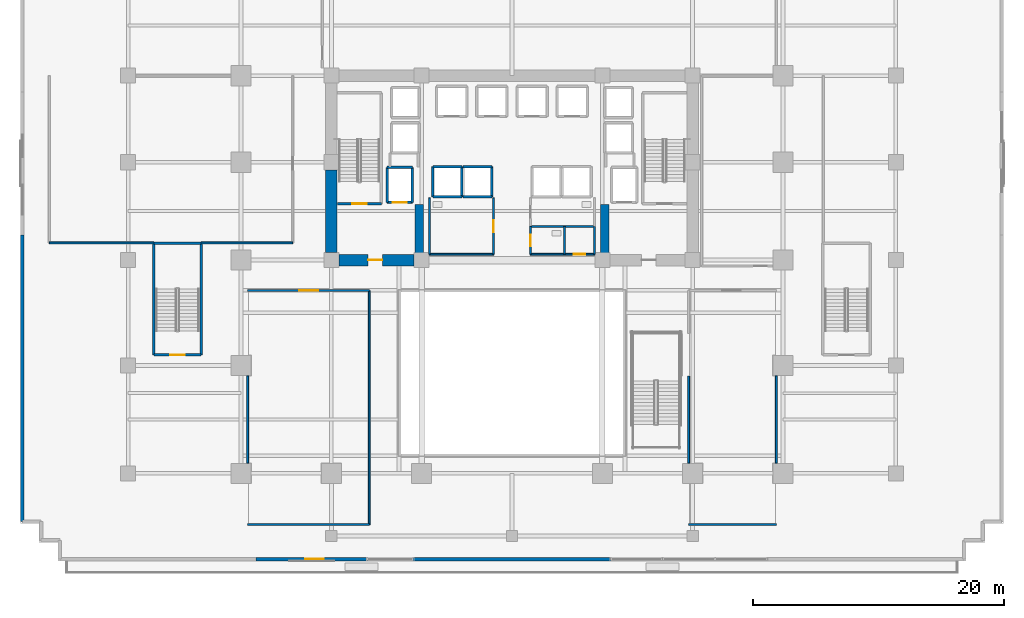
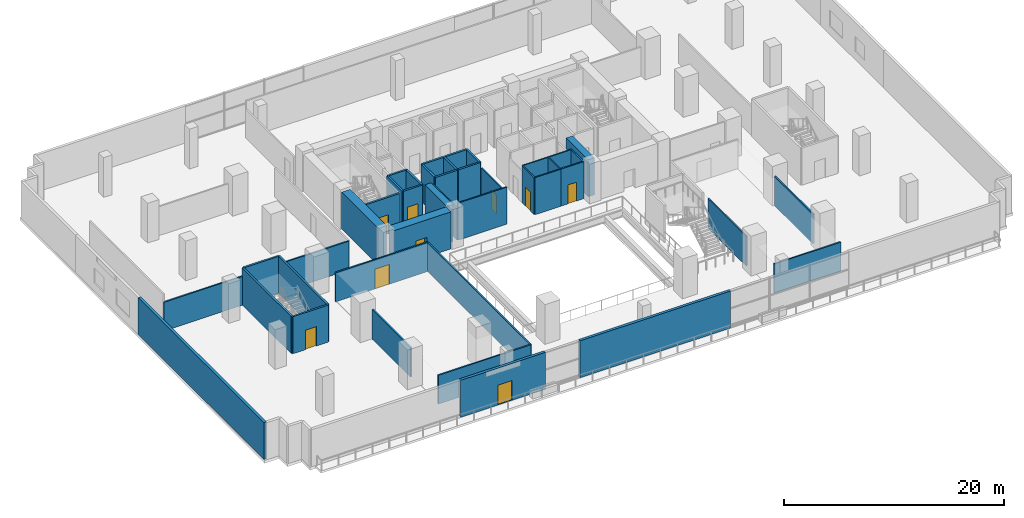
# One storey, part 12 of 21: 41 walls, 9 doors, 9 openings.
"""IFC4 building model written with IfcOpenShell, lengths in metres."""

from ifc_helpers import new_model, si_unit, direction, frame, frame_2d, origin, place, context, subcontext, project, spatial, rectangle, extrude, source, transform, mapped, material, layer, layer_set, type_object, element, fill, save


model = new_model("IFC4")

# Units and contexts
model_context = context("Model", 3, precision=1e-05, world=origin(), true_north=direction((0.0, 1.0)))
body_context = subcontext(model_context, "Body", "Model", "MODEL_VIEW")
ifc_project = project(units=[si_unit("LENGTHUNIT", "METRE"), si_unit("AREAUNIT", "SQUARE_METRE"), si_unit("VOLUMEUNIT", "CUBIC_METRE"), si_unit("PLANEANGLEUNIT", "RADIAN"), si_unit("MASSUNIT", "GRAM", prefix="KILO")], contexts=[model_context])

# Site, building, storey
site_placement = place(None, origin())
site = spatial("IfcSite", under=ifc_project, at=site_placement, CompositionType="ELEMENT")
building_placement = place(site_placement, origin())
building = spatial("IfcBuilding", under=site, at=building_placement, Name="Zarnakvel Exchange Tower", CompositionType="ELEMENT")
storey_placement = place(building_placement, frame((0.0, 0.0, 5.0)))
storey = spatial("IfcBuildingStorey", under=building, at=storey_placement, Name="L01", CompositionType="ELEMENT", Elevation=5.0)

# Wall
ifc_material_1 = material(Name="Concrete C80/95", Category="concrete")
ifc_layer_1 = layer(ifc_material_1, 0.89990234375)
ifc_layer_set_1 = layer_set([ifc_layer_1], Name="Concrete C80/95")
wall_type_1 = type_object("IfcWallType", Name="CW-C1", PredefinedType="SHEAR", material=ifc_layer_set_1)
wall_1_placement = place(storey_placement, frame((-14.39990234375, -0.60009765625, 0.0), z_axis=(0.0, 0.0, 1.0), x_axis=(0.0, 1.0, 0.0)))
element("IfcWall", 1, at=wall_1_placement, inside=storey, type_object=wall_type_1, Name="L01 Rear Core Shear Wall W1 (CW-C1)", PredefinedType="SHEAR", context=body_context, shape_type="SweptSolid", body=[
    extrude(rectangle(XDim=6.60009765625, YDim=0.89990234375, at=frame_2d((3.300048828125, 0.0))), origin(), (0.0, 0.0, 1.0), 4.10009765625),
])

# Wall, opening, door
wall_2_placement = place(storey_placement, frame((-7.800048828125, -1.199951171875, 0.0), z_axis=(0.0, 0.0, 1.0), x_axis=(-1.0, 0.0, 0.0)))
wall_2 = element("IfcWall", 2, at=wall_2_placement, inside=storey, type_object=wall_type_1, Name="L01 Rear Core Shear Wall SW (CW-C1)", PredefinedType="SHEAR", context=body_context, shape_type="SweptSolid", body=[
    extrude(rectangle(XDim=6.0, YDim=0.89990234375, at=frame_2d((3.0, 0.0))), origin(), (0.0, 0.0, 1.0), 4.10009765625),
])
opening_1_placement = place(wall_2_placement, frame((2.52490234375, 0.0, 0.0)))
opening_1 = element("IfcOpeningElement", 3, at=opening_1_placement, cuts=wall_2, Name="Opening D-L01-03", PredefinedType="OPENING", context=body_context, shape_type="SweptSolid", body=[
    extrude(rectangle(XDim=1.14990234375, YDim=2.14990234375, at=frame_2d((0.574951171875, 1.074951171875))), frame((0.0, 0.4599609375, 0.0), z_axis=(0.0, -1.0, 0.0), x_axis=(1.0, 0.0, 0.0)), (0.0, 0.0, 1.0), 0.919921875),
])
ifc_material_2 = material(Name="Painted Galvanised Steel S355", Category="steel")
door_type_1 = type_object("IfcDoorType", Name="DT-04", OperationType="NOTDEFINED", PredefinedType="DOOR", material=ifc_material_2)
shared_shape_1 = source(origin(), body_context, "Body", "SweptSolid", [
    extrude(rectangle(XDim=1.14990234375, YDim=2.14990234375, at=frame_2d((0.574951171875, 1.074951171875))), frame((0.0, 0.02490234375, 0.0), z_axis=(0.0, -1.0, 0.0), x_axis=(1.0, 0.0, 0.0)), (0.0, 0.0, 1.0), 0.050048828125),
])
door_1_placement = place(opening_1_placement, origin())
door_1 = element("IfcDoor", 4, at=door_1_placement, inside=storey, type_object=door_type_1, Name="L01 Firefighting Lobby West Door D-L01-03", OperationType="SINGLE_SWING_RIGHT", OverallHeight=2.14990234375, OverallWidth=1.14990234375, PredefinedType="DOOR", context=body_context, shape_type="MappedRepresentation", body=[
    mapped(shared_shape_1, transform((0.0, 0.0, 0.0), x_axis=(1.0, 0.0, 0.0), y_axis=(0.0, 1.0, 0.0), z_axis=(0.0, 0.0, 1.0), scale=1.0)),
])
fill(opening_1, door_1)

# Walls
ifc_layer_2 = layer(ifc_material_1, 0.64990234375)
ifc_layer_set_2 = layer_set([ifc_layer_2], Name="Concrete C80/95")
wall_type_2 = type_object("IfcWallType", Name="CW-C2", PredefinedType="SHEAR", material=ifc_layer_set_2)
for number, where, z_axis, x_axis, name in (
    (5, (-7.39990234375, -0.75, 0.0), (0.0, 0.0, 1.0), (0.0, 1.0, 0.0), "L01 Rear Core Shear Wall IW (CW-C2)"),
    (6, (7.39990234375, -0.75, 0.0), (0.0, 0.0, 1.0), (0.0, 1.0, 0.0), "L01 Rear Core Shear Wall IE (CW-C2)"),
):
    element("IfcWall", number, at=place(storey_placement, frame(where, z_axis=z_axis, x_axis=x_axis)), inside=storey, type_object=wall_type_2, Name=name, PredefinedType="SHEAR", context=body_context, shape_type="SweptSolid", body=[
        extrude(rectangle(XDim=4.0, YDim=0.64990234375, at=frame_2d((2.0, 0.0))), origin(), (0.0, 0.0, 1.0), 4.10009765625),
    ])

# Wall, opening, door
ifc_material_3 = material(Name="Precast concrete C40/50", Category="concrete")
ifc_layer_3 = layer(ifc_material_3, 0.280029296875)
ifc_layer_set_3 = layer_set([ifc_layer_3], Name="Precast concrete C40/50")
wall_type_3 = type_object("IfcWallType", Name="EW-01", PredefinedType="SOLIDWALL", material=ifc_layer_set_3)
wall_3_placement = place(storey_placement, frame((-11.5048828125, -25.0400390625, 0.0), z_axis=(0.0, 0.0, 1.0), x_axis=(-1.0, 0.0, 0.0)))
wall_3 = element("IfcWall", 7, at=wall_3_placement, inside=storey, type_object=wall_type_3, Name="L01 Exterior Precast Spandrel Wall EW-L01-PT (EW-01)", PredefinedType="SOLIDWALL", context=body_context, shape_type="SweptSolid", body=[
    extrude(rectangle(XDim=8.89501953125, YDim=0.280029296875, at=frame_2d((4.447509765625, 0.0))), origin(), (0.0, 0.0, 1.0), 4.10009765625),
])
opening_2_placement = place(wall_3_placement, frame((3.4951171875, 0.0, 0.0)))
opening_2 = element("IfcOpeningElement", 8, at=opening_2_placement, cuts=wall_3, Name="Opening TD-L01-01", PredefinedType="OPENING", context=body_context, shape_type="SweptSolid", body=[
    extrude(rectangle(XDim=1.5, YDim=2.199951171875, at=frame_2d((0.75, 1.10009765625))), frame((0.0, 0.14990234375, 0.0), z_axis=(0.0, -1.0, 0.0), x_axis=(1.0, 0.0, 0.0)), (0.0, 0.0, 1.0), 0.300048828125),
])
ifc_material_4 = material(Name="Architectural Bronze Anodised Aluminium", Category="aluminium")
door_type_2 = type_object("IfcDoorType", Name="DT-10", OperationType="NOTDEFINED", PredefinedType="DOOR", material=ifc_material_4)
shared_shape_2 = source(origin(), body_context, "Body", "SweptSolid", [
    extrude(rectangle(XDim=1.5, YDim=2.199951171875, at=frame_2d((0.75, 1.10009765625))), frame((0.0, 0.02490234375, 0.0), z_axis=(0.0, -1.0, 0.0), x_axis=(1.0, 0.0, 0.0)), (0.0, 0.0, 1.0), 0.050048828125),
])
door_2_placement = place(opening_2_placement, origin())
door_2 = element("IfcDoor", 9, at=door_2_placement, inside=storey, type_object=door_type_2, Name="L01 Podium Terrace Access Door TD-L01-01", OperationType="DOUBLE_DOOR_SINGLE_SWING", OverallHeight=2.199951171875, OverallWidth=1.5, PredefinedType="DOOR", context=body_context, shape_type="MappedRepresentation", body=[
    mapped(shared_shape_2, transform((0.0, 0.0, 0.0), x_axis=(1.0, 0.0, 0.0), y_axis=(0.0, 1.0, 0.0), z_axis=(0.0, 0.0, 1.0), scale=1.0)),
])
fill(opening_2, door_2)

# Walls
wall_4_placement = place(storey_placement, frame((-39.0400390625, 0.800048828125, 0.0), z_axis=(0.0, 0.0, 1.0), x_axis=(0.0, -1.0, 0.0)))
element("IfcWall", 10, at=wall_4_placement, inside=storey, type_object=wall_type_3, Name="L01 Exterior Precast Spandrel Wall EWC-L01-01 (EW-01)", PredefinedType="SOLIDWALL", context=body_context, shape_type="SweptSolid", body=[
    extrude(rectangle(XDim=22.840087890625, YDim=0.280029296875, at=frame_2d((11.419921875, 0.0))), origin(), (0.0, 0.0, 1.0), 4.10009765625),
])
wall_5_placement = place(storey_placement, frame((-7.89501953125, -25.0400390625, 0.0), z_axis=(0.0, 0.0, 1.0), x_axis=(1.0, 0.0, 0.0)))
element("IfcWall", 11, at=wall_5_placement, inside=storey, type_object=wall_type_3, Name="L01 Exterior Precast Spandrel Wall EWC-L01-21 (EW-01)", PredefinedType="SOLIDWALL", context=body_context, shape_type="SweptSolid", body=[
    extrude(rectangle(XDim=15.7900390625, YDim=0.280029296875, at=frame_2d((7.89501953125, 0.0))), origin(), (0.0, 0.0, 1.0), 4.10009765625),
])

# Wall, opening, door
ifc_material_5 = material(Name="Fire-Rated Gypsum Stud Partition", Category="gypsum")
ifc_layer_4 = layer(ifc_material_5, 0.14990234375)
ifc_layer_set_4 = layer_set([ifc_layer_4], Name="Fire-Rated Gypsum Stud Partition")
wall_type_4 = type_object("IfcWallType", Name="PT-01", PredefinedType="PARTITIONING", material=ifc_layer_set_4)
wall_6_placement = place(storey_placement, frame((6.580078125, -0.72998046875, 0.0), z_axis=(0.0, 0.0, 1.0), x_axis=(-1.0, 0.0, 0.0)))
wall_6 = element("IfcWall", 12, at=wall_6_placement, inside=storey, type_object=wall_type_4, Name="L01 Partition Wall PWALL-L01-020 (PT-01)", PredefinedType="PARTITIONING", context=body_context, shape_type="SweptSolid", body=[
    extrude(rectangle(XDim=2.400146484375, YDim=0.14990234375, at=frame_2d((1.2001953125, 0.0))), origin(), (0.0, 0.0, 1.0), 4.10009765625),
])
opening_3_placement = place(wall_6_placement, frame((0.760009765625, 0.0, 0.0)))
opening_3 = element("IfcOpeningElement", 13, at=opening_3_placement, cuts=wall_6, Name="Opening D-L01-08", PredefinedType="OPENING", context=body_context, shape_type="SweptSolid", body=[
    extrude(rectangle(XDim=0.8798828125, YDim=2.10009765625, at=frame_2d((0.43994140625, 1.050048828125))), frame((0.0, 0.0849609375, 0.0), z_axis=(0.0, -1.0, 0.0), x_axis=(1.0, 0.0, 0.0)), (0.0, 0.0, 1.0), 0.169921875),
])
door_type_3 = type_object("IfcDoorType", Name="DT-08", OperationType="NOTDEFINED", PredefinedType="DOOR", material=ifc_material_2)
shared_shape_3 = source(origin(), body_context, "Body", "SweptSolid", [
    extrude(rectangle(XDim=0.8798828125, YDim=2.10009765625, at=frame_2d((0.43994140625, 1.050048828125))), frame((0.0, 0.02490234375, 0.0), z_axis=(0.0, -1.0, 0.0), x_axis=(1.0, 0.0, 0.0)), (0.0, 0.0, 1.0), 0.050048828125),
])
door_3_placement = place(opening_3_placement, origin())
door_3 = element("IfcDoor", 14, at=door_3_placement, inside=storey, type_object=door_type_3, Name="L01 Cleaners Store Door D-L01-08", OperationType="SINGLE_SWING_LEFT", OverallHeight=2.10009765625, OverallWidth=0.8798828125, PredefinedType="DOOR", context=body_context, shape_type="MappedRepresentation", body=[
    mapped(shared_shape_3, transform((0.0, 0.0, 0.0), x_axis=(1.0, 0.0, 0.0), y_axis=(0.0, 1.0, 0.0), z_axis=(0.0, 0.0, 1.0), scale=1.0)),
])
fill(opening_3, door_3)

# Walls
wall_7_placement = place(storey_placement, frame((6.580078125, 1.47998046875, 0.0), z_axis=(0.0, 0.0, 1.0), x_axis=(0.0, -1.0, 0.0)))
element("IfcWall", 15, at=wall_7_placement, inside=storey, type_object=wall_type_4, Name="L01 Partition Wall PWALL-L01-021 (PT-01)", PredefinedType="PARTITIONING", context=body_context, shape_type="SweptSolid", body=[
    extrude(rectangle(XDim=2.2099609375, YDim=0.14990234375, at=frame_2d((1.10498046875, 0.0))), origin(), (0.0, 0.0, 1.0), 4.10009765625),
])
wall_8_placement = place(storey_placement, frame((-11.3798828125, -22.280029296875, 0.0), z_axis=(0.0, 0.0, 1.0), x_axis=(-1.0, 0.0, 0.0)))
element("IfcWall", 16, at=wall_8_placement, inside=storey, type_object=wall_type_4, Name="L01 Partition Wall PWALL-L01-030 (PT-01)", PredefinedType="PARTITIONING", context=body_context, shape_type="SweptSolid", body=[
    extrude(rectangle(XDim=9.7001953125, YDim=0.14990234375, at=frame_2d((4.85009765625, 0.0))), origin(), (0.0, 0.0, 1.0), 3.18994140625),
])

# Wall, opening, door
wall_9_placement = place(storey_placement, frame((-21.080078125, -3.6298828125, 0.0), z_axis=(0.0, 0.0, 1.0), x_axis=(1.0, 0.0, 0.0)))
wall_9 = element("IfcWall", 17, at=wall_9_placement, inside=storey, type_object=wall_type_4, Name="L01 Partition Wall PWALL-L01-031 (PT-01)", PredefinedType="PARTITIONING", context=body_context, shape_type="SweptSolid", body=[
    extrude(rectangle(XDim=9.7001953125, YDim=0.14990234375, at=frame_2d((4.85009765625, 0.0))), origin(), (0.0, 0.0, 1.0), 3.239013671875),
])
opening_4_placement = place(wall_9_placement, frame((4.1298828125, 0.0, 0.0)))
opening_4 = element("IfcOpeningElement", 18, at=opening_4_placement, cuts=wall_9, Name="Opening D-L01-11", PredefinedType="OPENING", context=body_context, shape_type="SweptSolid", body=[
    extrude(rectangle(XDim=1.5, YDim=2.199951171875, at=frame_2d((0.75, 1.10009765625))), frame((0.0, 0.0849609375, 0.0), z_axis=(0.0, -1.0, 0.0), x_axis=(1.0, 0.0, 0.0)), (0.0, 0.0, 1.0), 0.169921875),
])
ifc_material_6 = material(Name="Timber Acoustic Veneer", Category="wood")
door_type_4 = type_object("IfcDoorType", Name="DT-03", OperationType="NOTDEFINED", PredefinedType="DOOR", material=ifc_material_6)
door_4_placement = place(opening_4_placement, origin())
door_4 = element("IfcDoor", 19, at=door_4_placement, inside=storey, type_object=door_type_4, Name="L01 Securities Exchange Hall Door D-L01-11", OperationType="DOUBLE_DOOR_SINGLE_SWING", OverallHeight=2.199951171875, OverallWidth=1.5, PredefinedType="DOOR", context=body_context, shape_type="MappedRepresentation", body=[
    mapped(shared_shape_2, transform((0.0, 0.0, 0.0), x_axis=(1.0, 0.0, 0.0), y_axis=(0.0, 1.0, 0.0), z_axis=(0.0, 0.0, 1.0), scale=1.0)),
])
fill(opening_4, door_4)

# Walls
wall_10_placement = place(storey_placement, frame((-21.080078125, -17.3798828125, 0.0), z_axis=(0.0, 0.0, 1.0), x_axis=(0.0, 1.0, 0.0)))
element("IfcWall", 20, at=wall_10_placement, inside=storey, type_object=wall_type_4, Name="L01 Partition Wall PWALL-L01-032 (PT-01)", PredefinedType="PARTITIONING", context=body_context, shape_type="SweptSolid", body=[
    extrude(rectangle(XDim=6.9599609375, YDim=0.14990234375, at=frame_2d((3.47998046875, 0.0))), origin(), (0.0, 0.0, 1.0), 3.2900390625),
])
wall_11_placement = place(storey_placement, frame((-11.3798828125, -3.6298828125, 0.0), z_axis=(0.0, 0.0, 1.0), x_axis=(0.0, -1.0, 0.0)))
element("IfcWall", 21, at=wall_11_placement, inside=storey, type_object=wall_type_4, Name="L01 Partition Wall PWALL-L01-033 (PT-01)", PredefinedType="PARTITIONING", context=body_context, shape_type="SweptSolid", body=[
    extrude(rectangle(XDim=18.650146484375, YDim=0.14990234375, at=frame_2d((9.3251953125, 0.0))), origin(), (0.0, 0.0, 1.0), 3.18994140625),
])
wall_12_placement = place(storey_placement, frame((21.080078125, -22.280029296875, 0.0), z_axis=(0.0, 0.0, 1.0), x_axis=(-1.0, 0.0, 0.0)))
element("IfcWall", 22, at=wall_12_placement, inside=storey, type_object=wall_type_4, Name="L01 Partition Wall PWALL-L01-034 (PT-01)", PredefinedType="PARTITIONING", context=body_context, shape_type="SweptSolid", body=[
    extrude(rectangle(XDim=7.0, YDim=0.14990234375, at=frame_2d((3.5, 0.0))), origin(), (0.0, 0.0, 1.0), 3.18994140625),
])
wall_13_placement = place(storey_placement, frame((14.080078125, -17.3798828125, 0.0), z_axis=(0.0, 0.0, 1.0), x_axis=(0.0, 1.0, 0.0)))
element("IfcWall", 23, at=wall_13_placement, inside=storey, type_object=wall_type_4, Name="L01 Partition Wall PWALL-L01-036 (PT-01)", PredefinedType="PARTITIONING", context=body_context, shape_type="SweptSolid", body=[
    extrude(rectangle(XDim=6.929931640625, YDim=0.14990234375, at=frame_2d((3.46484375, 0.0))), origin(), (0.0, 0.0, 1.0), 3.2900390625),
])
wall_14_placement = place(storey_placement, frame((21.080078125, -10.419921875, 0.0), z_axis=(0.0, 0.0, 1.0), x_axis=(0.0, -1.0, 0.0)))
element("IfcWall", 24, at=wall_14_placement, inside=storey, type_object=wall_type_4, Name="L01 Partition Wall PWALL-L01-038 (PT-01)", PredefinedType="PARTITIONING", context=body_context, shape_type="SweptSolid", body=[
    extrude(rectangle(XDim=6.9599609375, YDim=0.14990234375, at=frame_2d((3.47998046875, 0.0))), origin(), (0.0, 0.0, 1.0), 3.2900390625),
])
wall_15_placement = place(storey_placement, frame((-28.56005859375, 0.169921875, 0.0), z_axis=(0.0, 0.0, 1.0), x_axis=(-1.0, 0.0, 0.0)))
element("IfcWall", 25, at=wall_15_placement, inside=storey, type_object=wall_type_4, Name="L01 Partition Wall PWALL-L01-039 (PT-01)", PredefinedType="PARTITIONING", context=body_context, shape_type="SweptSolid", body=[
    extrude(rectangle(XDim=8.31982421875, YDim=0.14990234375, at=frame_2d((4.159912109375, 0.0))), origin(), (0.0, 0.0, 1.0), 3.18994140625),
])
wall_16_placement = place(storey_placement, frame((-17.47998046875, 0.169921875, 0.0), z_axis=(0.0, 0.0, 1.0), x_axis=(-1.0, 0.0, 0.0)))
element("IfcWall", 26, at=wall_16_placement, inside=storey, type_object=wall_type_4, Name="L01 Partition Wall PWALL-L01-040 (PT-01)", PredefinedType="PARTITIONING", context=body_context, shape_type="SweptSolid", body=[
    extrude(rectangle(XDim=7.31005859375, YDim=0.14990234375, at=frame_2d((3.655029296875, 0.0))), origin(), (0.0, 0.0, 1.0), 3.18994140625),
])
ifc_material_7 = material(Name="Moisture-Resistant Tile-Faced Partition", Category="gypsum")
ifc_layer_5 = layer(ifc_material_7, 0.135009765625)
ifc_layer_set_5 = layer_set([ifc_layer_5], Name="Moisture-Resistant Tile-Faced Partition")
wall_type_5 = type_object("IfcWallType", Name="PT-03", PredefinedType="PARTITIONING", material=ifc_layer_set_5)
wall_17_placement = place(storey_placement, frame((-1.469970703125, -0.72998046875, 0.0), z_axis=(0.0, 0.0, 1.0), x_axis=(-1.0, 0.0, 0.0)))
element("IfcWall", 27, at=wall_17_placement, inside=storey, type_object=wall_type_5, Name="L01 Partition Wall PWALL-L01-011 (PT-03)", PredefinedType="PARTITIONING", context=body_context, shape_type="SweptSolid", body=[
    extrude(rectangle(XDim=5.110107421875, YDim=0.135009765625, at=frame_2d((2.55517578125, 0.0))), origin(), (0.0, 0.0, 1.0), 4.10009765625),
])
wall_18_placement = place(storey_placement, frame((-6.580078125, -0.72998046875, 0.0), z_axis=(0.0, 0.0, 1.0), x_axis=(0.0, 1.0, 0.0)))
element("IfcWall", 28, at=wall_18_placement, inside=storey, type_object=wall_type_5, Name="L01 Partition Wall PWALL-L01-012 (PT-03)", PredefinedType="PARTITIONING", context=body_context, shape_type="SweptSolid", body=[
    extrude(rectangle(XDim=4.489990234375, YDim=0.135009765625, at=frame_2d((2.2451171875, 0.0))), origin(), (0.0, 0.0, 1.0), 3.472900390625),
])

# Wall, opening, door
wall_19_placement = place(storey_placement, frame((-1.469970703125, 3.760009765625, 0.0), z_axis=(0.0, 0.0, 1.0), x_axis=(0.0, -1.0, 0.0)))
wall_19 = element("IfcWall", 29, at=wall_19_placement, inside=storey, type_object=wall_type_5, Name="L01 Partition Wall PWALL-L01-013 (PT-03)", PredefinedType="PARTITIONING", context=body_context, shape_type="SweptSolid", body=[
    extrude(rectangle(XDim=4.489990234375, YDim=0.135009765625, at=frame_2d((2.2451171875, 0.0))), origin(), (0.0, 0.0, 1.0), 3.472900390625),
])
opening_5_placement = place(wall_19_placement, frame((1.800048828125, 0.0, 0.0)))
opening_5 = element("IfcOpeningElement", 30, at=opening_5_placement, cuts=wall_19, Name="Opening D-L01-05", PredefinedType="OPENING", context=body_context, shape_type="SweptSolid", body=[
    extrude(rectangle(XDim=0.919921875, YDim=2.10009765625, at=frame_2d((0.4599609375, 1.050048828125))), frame((0.0, 0.077392578125, 0.0), z_axis=(0.0, -1.0, 0.0), x_axis=(1.0, 0.0, 0.0)), (0.0, 0.0, 1.0), 0.155029296875),
])
ifc_material_8 = material(Name="Moisture-Resistant Laminate Timber", Category="wood")
door_type_5 = type_object("IfcDoorType", Name="DT-07", OperationType="NOTDEFINED", PredefinedType="DOOR", material=ifc_material_8)
shared_shape_4 = source(origin(), body_context, "Body", "SweptSolid", [
    extrude(rectangle(XDim=0.919921875, YDim=2.10009765625, at=frame_2d((0.4599609375, 1.050048828125))), frame((0.0, 0.02490234375, 0.0), z_axis=(0.0, -1.0, 0.0), x_axis=(1.0, 0.0, 0.0)), (0.0, 0.0, 1.0), 0.050048828125),
])
door_5_placement = place(opening_5_placement, origin())
door_5 = element("IfcDoor", 31, at=door_5_placement, inside=storey, type_object=door_type_5, Name="L01 Male Toilet Door D-L01-05", OperationType="SINGLE_SWING_RIGHT", OverallHeight=2.10009765625, OverallWidth=0.919921875, PredefinedType="DOOR", context=body_context, shape_type="MappedRepresentation", body=[
    mapped(shared_shape_4, transform((0.0, 0.0, 0.0), x_axis=(1.0, 0.0, 0.0), y_axis=(0.0, 1.0, 0.0), z_axis=(0.0, 0.0, 1.0), scale=1.0)),
])
fill(opening_5, door_5)

# Walls
wall_20_placement = place(storey_placement, frame((6.580078125, 1.47998046875, 0.0), z_axis=(0.0, 0.0, 1.0), x_axis=(-1.0, 0.0, 0.0)))
element("IfcWall", 32, at=wall_20_placement, inside=storey, type_object=wall_type_5, Name="L01 Partition Wall PWALL-L01-014 (PT-03)", PredefinedType="PARTITIONING", context=body_context, shape_type="SweptSolid", body=[
    extrude(rectangle(XDim=5.110107421875, YDim=0.135009765625, at=frame_2d((2.55517578125, 0.0))), origin(), (0.0, 0.0, 1.0), 4.10009765625),
])
wall_21_placement = place(storey_placement, frame((4.179931640625, -0.72998046875, 0.0), z_axis=(0.0, 0.0, 1.0), x_axis=(-1.0, 0.0, 0.0)))
element("IfcWall", 33, at=wall_21_placement, inside=storey, type_object=wall_type_5, Name="L01 Partition Wall PWALL-L01-017 (PT-03)", PredefinedType="PARTITIONING", context=body_context, shape_type="SweptSolid", body=[
    extrude(rectangle(XDim=2.7099609375, YDim=0.135009765625, at=frame_2d((1.35498046875, 0.0))), origin(), (0.0, 0.0, 1.0), 4.10009765625),
])

# Wall, opening, door
wall_22_placement = place(storey_placement, frame((1.469970703125, -0.72998046875, 0.0), z_axis=(0.0, 0.0, 1.0), x_axis=(0.0, 1.0, 0.0)))
wall_22 = element("IfcWall", 34, at=wall_22_placement, inside=storey, type_object=wall_type_5, Name="L01 Partition Wall PWALL-L01-018 (PT-03)", PredefinedType="PARTITIONING", context=body_context, shape_type="SweptSolid", body=[
    extrude(rectangle(XDim=2.2099609375, YDim=0.135009765625, at=frame_2d((1.10498046875, 0.0))), origin(), (0.0, 0.0, 1.0), 4.10009765625),
])
opening_6_placement = place(wall_22_placement, frame((0.64990234375, 0.0, 0.0)))
opening_6 = element("IfcOpeningElement", 35, at=opening_6_placement, cuts=wall_22, Name="Opening D-L01-07", PredefinedType="OPENING", context=body_context, shape_type="SweptSolid", body=[
    extrude(rectangle(XDim=0.919921875, YDim=2.10009765625, at=frame_2d((0.4599609375, 1.050048828125))), frame((0.0, 0.077392578125, 0.0), z_axis=(0.0, -1.0, 0.0), x_axis=(1.0, 0.0, 0.0)), (0.0, 0.0, 1.0), 0.155029296875),
])
door_6_placement = place(opening_6_placement, origin())
door_6 = element("IfcDoor", 36, at=door_6_placement, inside=storey, type_object=door_type_5, Name="L01 Accessible Toilet Door D-L01-07", OperationType="SINGLE_SWING_RIGHT", OverallHeight=2.10009765625, OverallWidth=0.919921875, PredefinedType="DOOR", context=body_context, shape_type="MappedRepresentation", body=[
    mapped(shared_shape_4, transform((0.0, 0.0, 0.0), x_axis=(1.0, 0.0, 0.0), y_axis=(0.0, 1.0, 0.0), z_axis=(0.0, 0.0, 1.0), scale=1.0)),
])
fill(opening_6, door_6)

# Wall
wall_23_placement = place(storey_placement, frame((4.179931640625, 1.47998046875, 0.0), z_axis=(0.0, 0.0, 1.0), x_axis=(0.0, -1.0, 0.0)))
element("IfcWall", 37, at=wall_23_placement, inside=storey, type_object=wall_type_5, Name="L01 Partition Wall PWALL-L01-019 (PT-03)", PredefinedType="PARTITIONING", context=body_context, shape_type="SweptSolid", body=[
    extrude(rectangle(XDim=2.2099609375, YDim=0.135009765625, at=frame_2d((1.10498046875, 0.0))), origin(), (0.0, 0.0, 1.0), 4.10009765625),
])

# Wall, opening, door
ifc_material_9 = material(Name="Concrete C40/50", Category="concrete")
ifc_layer_6 = layer(ifc_material_9, 0.199951171875)
ifc_layer_set_6 = layer_set([ifc_layer_6], Name="Concrete C40/50")
wall_type_6 = type_object("IfcWallType", Name="SW-01", PredefinedType="SOLIDWALL", material=ifc_layer_set_6)
wall_24_placement = place(storey_placement, frame((-7.949951171875, 3.39990234375, 0.0), z_axis=(0.0, 0.0, 1.0), x_axis=(-1.0, 0.0, 0.0)))
wall_24 = element("IfcWall", 38, at=wall_24_placement, inside=storey, type_object=wall_type_6, Name="L01 FL-01 Hoistway Wall South", PredefinedType="SOLIDWALL", context=body_context, shape_type="SweptSolid", body=[
    extrude(rectangle(XDim=2.0, YDim=0.199951171875, at=frame_2d((1.0, 0.0))), origin(), (0.0, 0.0, 1.0), 4.10009765625),
])
opening_7_placement = place(wall_24_placement, frame((0.449951171875, 0.0, 0.0)))
opening_7 = element("IfcOpeningElement", 39, at=opening_7_placement, cuts=wall_24, Name="Opening LD-FL-01-L01", PredefinedType="OPENING", context=body_context, shape_type="SweptSolid", body=[
    extrude(rectangle(XDim=1.10009765625, YDim=2.199951171875, at=frame_2d((0.550048828125, 1.10009765625))), frame((0.0, 0.10986328125, 0.0), z_axis=(0.0, -1.0, 0.0), x_axis=(1.0, 0.0, 0.0)), (0.0, 0.0, 1.0), 0.219970703125),
])
ifc_material_10 = material(Name="Brushed Stainless Steel", Category="steel")
door_type_6 = type_object("IfcDoorType", Name="LDT-01", OperationType="NOTDEFINED", PredefinedType="DOOR", material=ifc_material_10)
shared_shape_5 = source(origin(), body_context, "Body", "SweptSolid", [
    extrude(rectangle(XDim=1.10009765625, YDim=2.199951171875, at=frame_2d((0.550048828125, 1.10009765625))), frame((0.0, 0.02490234375, 0.0), z_axis=(0.0, -1.0, 0.0), x_axis=(1.0, 0.0, 0.0)), (0.0, 0.0, 1.0), 0.050048828125),
])
door_7_placement = place(opening_7_placement, origin())
door_7 = element("IfcDoor", 40, at=door_7_placement, inside=storey, type_object=door_type_6, Name="L01 FL-01 Lift Landing Door LD-FL-01-L01", OperationType="DOUBLE_DOOR_SLIDING", OverallHeight=2.199951171875, OverallWidth=1.10009765625, PredefinedType="DOOR", context=body_context, shape_type="MappedRepresentation", body=[
    mapped(shared_shape_5, transform((0.0, 0.0, 0.0), x_axis=(1.0, 0.0, 0.0), y_axis=(0.0, 1.0, 0.0), z_axis=(0.0, 0.0, 1.0), scale=1.0)),
])
fill(opening_7, door_7)

# Walls
wall_25_placement = place(storey_placement, frame((-9.949951171875, 6.199951171875, 0.0), z_axis=(0.0, 0.0, 1.0), x_axis=(1.0, 0.0, 0.0)))
element("IfcWall", 41, at=wall_25_placement, inside=storey, type_object=wall_type_6, Name="L01 FL-01 Hoistway Wall North", PredefinedType="SOLIDWALL", context=body_context, shape_type="SweptSolid", body=[
    extrude(rectangle(XDim=2.0, YDim=0.199951171875, at=frame_2d((1.0, 0.0))), origin(), (0.0, 0.0, 1.0), 4.10009765625),
])
for number, where, z_axis, x_axis, name in (
    (42, (-9.949951171875, 3.39990234375, 0.0), (0.0, 0.0, 1.0), (0.0, 1.0, 0.0), "L01 FL-01 Hoistway Wall West"),
    (43, (-7.949951171875, 6.199951171875, 0.0), (0.0, 0.0, 1.0), (0.0, -1.0, 0.0), "L01 FL-01 Hoistway Wall East"),
):
    element("IfcWall", number, at=place(storey_placement, frame(where, z_axis=z_axis, x_axis=x_axis)), inside=storey, type_object=wall_type_6, Name=name, PredefinedType="SOLIDWALL", context=body_context, shape_type="SweptSolid", body=[
        extrude(rectangle(XDim=2.800048828125, YDim=0.199951171875, at=frame_2d((1.39990234375, 0.0))), origin(), (0.0, 0.0, 1.0), 4.10009765625),
    ])
for number, where, z_axis, x_axis, name in (
    (44, (-4.0, 3.85009765625, 0.0), (0.0, 0.0, 1.0), (-1.0, 0.0, 0.0), "L01 PL-05 Hoistway Wall South"),
    (45, (-6.300048828125, 6.25, 0.0), (0.0, 0.0, 1.0), (1.0, 0.0, 0.0), "L01 PL-05 Hoistway Wall North"),
):
    element("IfcWall", number, at=place(storey_placement, frame(where, z_axis=z_axis, x_axis=x_axis)), inside=storey, type_object=wall_type_6, Name=name, PredefinedType="SOLIDWALL", context=body_context, shape_type="SweptSolid", body=[
        extrude(rectangle(XDim=2.300048828125, YDim=0.199951171875, at=frame_2d((1.14990234375, 0.0))), origin(), (0.0, 0.0, 1.0), 4.10009765625),
    ])
for number, where, z_axis, x_axis, name in (
    (46, (-6.300048828125, 3.85009765625, 0.0), (0.0, 0.0, 1.0), (0.0, 1.0, 0.0), "L01 PL-05 Hoistway Wall West"),
    (47, (-4.0, 6.25, 0.0), (0.0, 0.0, 1.0), (0.0, -1.0, 0.0), "L01 PL-05 Hoistway Wall East"),
):
    element("IfcWall", number, at=place(storey_placement, frame(where, z_axis=z_axis, x_axis=x_axis)), inside=storey, type_object=wall_type_6, Name=name, PredefinedType="SOLIDWALL", context=body_context, shape_type="SweptSolid", body=[
        extrude(rectangle(XDim=2.39990234375, YDim=0.199951171875, at=frame_2d((1.199951171875, 0.0))), origin(), (0.0, 0.0, 1.0), 4.10009765625),
    ])
for number, where, z_axis, x_axis, name in (
    (48, (-1.60009765625, 3.85009765625, 0.0), (0.0, 0.0, 1.0), (-1.0, 0.0, 0.0), "L01 PL-06 Hoistway Wall South"),
    (49, (-3.89990234375, 6.25, 0.0), (0.0, 0.0, 1.0), (1.0, 0.0, 0.0), "L01 PL-06 Hoistway Wall North"),
):
    element("IfcWall", number, at=place(storey_placement, frame(where, z_axis=z_axis, x_axis=x_axis)), inside=storey, type_object=wall_type_6, Name=name, PredefinedType="SOLIDWALL", context=body_context, shape_type="SweptSolid", body=[
        extrude(rectangle(XDim=2.2998046875, YDim=0.199951171875, at=frame_2d((1.14990234375, 0.0))), origin(), (0.0, 0.0, 1.0), 4.10009765625),
    ])
wall_26_placement = place(storey_placement, frame((-1.60009765625, 6.25, 0.0), z_axis=(0.0, 0.0, 1.0), x_axis=(0.0, -1.0, 0.0)))
element("IfcWall", 50, at=wall_26_placement, inside=storey, type_object=wall_type_6, Name="L01 PL-06 Hoistway Wall East", PredefinedType="SOLIDWALL", context=body_context, shape_type="SweptSolid", body=[
    extrude(rectangle(XDim=2.39990234375, YDim=0.199951171875, at=frame_2d((1.199951171875, 0.0))), origin(), (0.0, 0.0, 1.0), 4.10009765625),
])

# Wall, opening, door
ifc_layer_7 = layer(ifc_material_9, 0.199951171875)
ifc_layer_set_7 = layer_set([ifc_layer_7], Name="Concrete C40/50")
wall_type_7 = type_object("IfcWallType", Name="SW-02", PredefinedType="SOLIDWALL", material=ifc_layer_set_7)
wall_27_placement = place(storey_placement, frame((-10.409912109375, 3.2900390625, 0.0), z_axis=(0.0, 0.0, 1.0), x_axis=(-1.0, 0.0, 0.0)))
wall_27 = element("IfcWall", 51, at=wall_27_placement, inside=storey, type_object=wall_type_7, Name="L01 Stairwell Core Wall PWALL-L01-001 (SW-02)", PredefinedType="SOLIDWALL", context=body_context, shape_type="SweptSolid", body=[
    extrude(rectangle(XDim=3.52001953125, YDim=0.199951171875, at=frame_2d((1.760009765625, 0.0))), origin(), (0.0, 0.0, 1.0), 4.10009765625),
])
opening_8_placement = place(wall_27_placement, frame((1.1650390625, 0.0, 0.0)))
opening_8 = element("IfcOpeningElement", 52, at=opening_8_placement, cuts=wall_27, Name="Opening D-L01-01", PredefinedType="OPENING", context=body_context, shape_type="SweptSolid", body=[
    extrude(rectangle(XDim=1.14990234375, YDim=2.14990234375, at=frame_2d((0.574951171875, 1.074951171875))), frame((0.0, 0.10986328125, 0.0), z_axis=(0.0, -1.0, 0.0), x_axis=(1.0, 0.0, 0.0)), (0.0, 0.0, 1.0), 0.219970703125),
])
door_8_placement = place(opening_8_placement, origin())
door_8 = element("IfcDoor", 53, at=door_8_placement, inside=storey, type_object=door_type_1, Name="L01 Stairwell ST-01 Door D-L01-01", OperationType="SINGLE_SWING_RIGHT", OverallHeight=2.14990234375, OverallWidth=1.14990234375, PredefinedType="DOOR", context=body_context, shape_type="MappedRepresentation", body=[
    mapped(shared_shape_1, transform((0.0, 0.0, 0.0), x_axis=(1.0, 0.0, 0.0), y_axis=(0.0, 1.0, 0.0), z_axis=(0.0, 0.0, 1.0), scale=1.0)),
])
fill(opening_8, door_8)

wall_28_placement = place(storey_placement, frame((-24.7900390625, -8.760009765625, 0.0), z_axis=(0.0, 0.0, 1.0), x_axis=(-1.0, 0.0, 0.0)))
wall_28 = element("IfcWall", 54, at=wall_28_placement, inside=storey, type_object=wall_type_7, Name="L01 Stairwell Core Wall PWALL-L01-022 (SW-02)", PredefinedType="SOLIDWALL", context=body_context, shape_type="SweptSolid", body=[
    extrude(rectangle(XDim=3.77001953125, YDim=0.199951171875, at=frame_2d((1.885009765625, 0.0))), origin(), (0.0, 0.0, 1.0), 4.10009765625),
])
opening_9_placement = place(wall_28_placement, frame((1.284912109375, 0.0, 0.0)))
opening_9 = element("IfcOpeningElement", 55, at=opening_9_placement, cuts=wall_28, Name="Opening D-L01-09", PredefinedType="OPENING", context=body_context, shape_type="SweptSolid", body=[
    extrude(rectangle(XDim=1.14990234375, YDim=2.14990234375, at=frame_2d((0.574951171875, 1.074951171875))), frame((0.0, 0.10986328125, 0.0), z_axis=(0.0, -1.0, 0.0), x_axis=(1.0, 0.0, 0.0)), (0.0, 0.0, 1.0), 0.219970703125),
])
door_9_placement = place(opening_9_placement, origin())
door_9 = element("IfcDoor", 56, at=door_9_placement, inside=storey, type_object=door_type_1, Name="L01 Stairwell ST-03 Door D-L01-09", OperationType="SINGLE_SWING_RIGHT", OverallHeight=2.14990234375, OverallWidth=1.14990234375, PredefinedType="DOOR", context=body_context, shape_type="MappedRepresentation", body=[
    mapped(shared_shape_1, transform((0.0, 0.0, 0.0), x_axis=(1.0, 0.0, 0.0), y_axis=(0.0, 1.0, 0.0), z_axis=(0.0, 0.0, 1.0), scale=1.0)),
])
fill(opening_9, door_9)

# Walls
wall_29_placement = place(storey_placement, frame((-28.56005859375, 0.159912109375, 0.0), z_axis=(0.0, 0.0, 1.0), x_axis=(1.0, 0.0, 0.0)))
element("IfcWall", 57, at=wall_29_placement, inside=storey, type_object=wall_type_7, Name="L01 Stairwell Core Wall PWALL-L01-023 (SW-02)", PredefinedType="SOLIDWALL", context=body_context, shape_type="SweptSolid", body=[
    extrude(rectangle(XDim=3.77001953125, YDim=0.199951171875, at=frame_2d((1.885009765625, 0.0))), origin(), (0.0, 0.0, 1.0), 4.10009765625),
])
for number, where, z_axis, x_axis, name in (
    (58, (-28.56005859375, -8.760009765625, 0.0), (0.0, 0.0, 1.0), (0.0, 1.0, 0.0), "L01 Stairwell Core Wall PWALL-L01-024 (SW-02)"),
    (59, (-24.7900390625, 0.159912109375, 0.0), (0.0, 0.0, 1.0), (0.0, -1.0, 0.0), "L01 Stairwell Core Wall PWALL-L01-025 (SW-02)"),
):
    element("IfcWall", number, at=place(storey_placement, frame(where, z_axis=z_axis, x_axis=x_axis)), inside=storey, type_object=wall_type_7, Name=name, PredefinedType="SOLIDWALL", context=body_context, shape_type="SweptSolid", body=[
        extrude(rectangle(XDim=8.919921875, YDim=0.199951171875, at=frame_2d((4.4599609375, 0.0))), origin(), (0.0, 0.0, 1.0), 4.10009765625),
    ])

save(model, "model.ifc")
